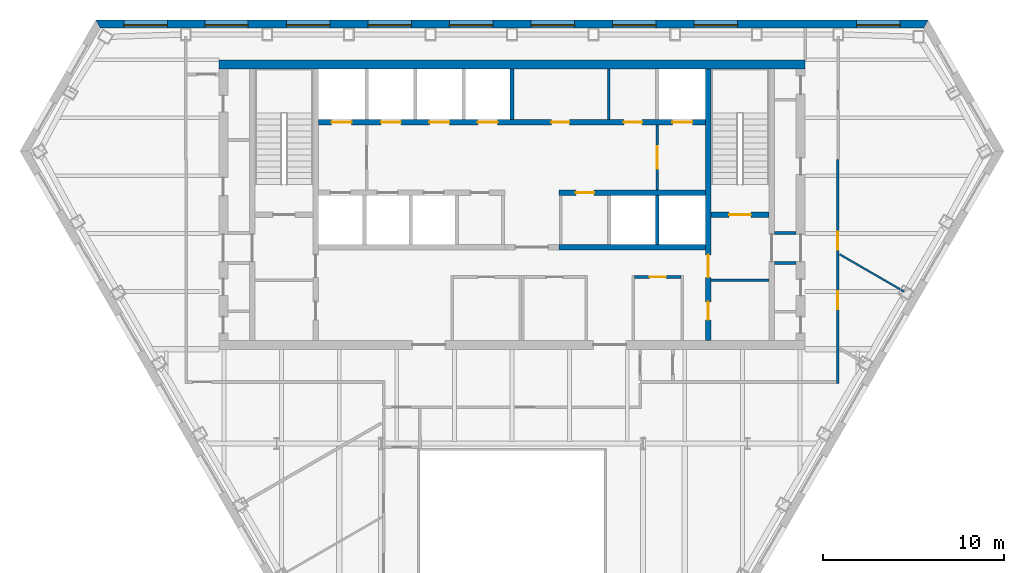
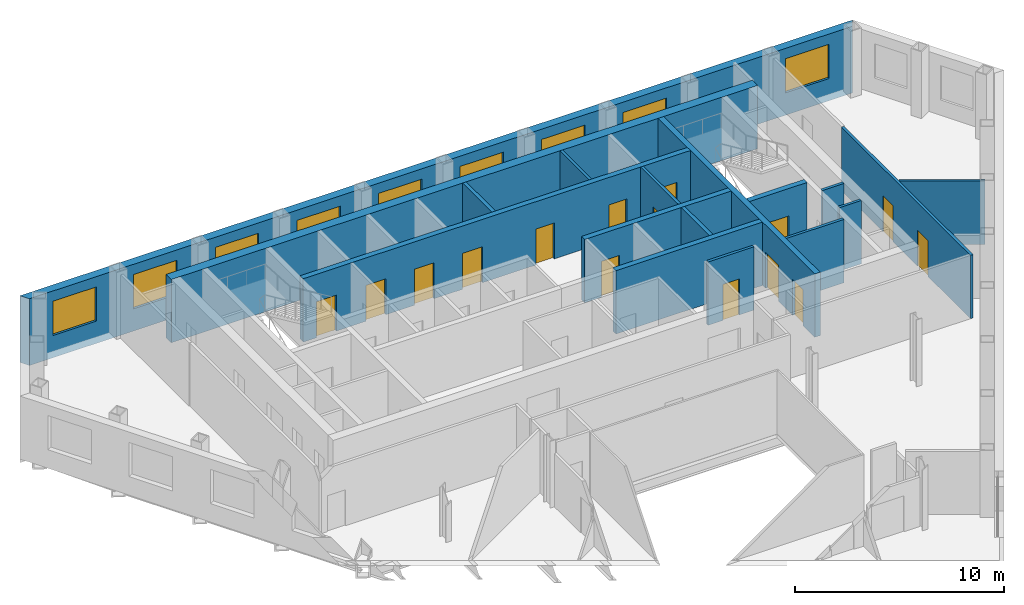
# One storey, part 7 of 11: 17 walls, 15 doors, 9 windows, 24 openings.
"""IFC4 building model written with IfcOpenShell, lengths in metres."""

from ifc_helpers import new_model, si_unit, direction, frame, frame_2d, origin, place, context, subcontext, project, spatial, polyline, rectangle, outline, extrude, material, layer, layer_set, type_object, element, fill, save


model = new_model("IFC4")

# Units and contexts
model_context = context("Model", 3, precision=1e-05, world=origin(), true_north=direction((0.0, 1.0)))
body_context = subcontext(model_context, "Body", "Model", "MODEL_VIEW")
ifc_project = project(units=[si_unit("LENGTHUNIT", "METRE"), si_unit("AREAUNIT", "SQUARE_METRE"), si_unit("VOLUMEUNIT", "CUBIC_METRE"), si_unit("PLANEANGLEUNIT", "RADIAN"), si_unit("MASSUNIT", "GRAM", prefix="KILO")], contexts=[model_context])

# Site, building, storey
site_placement = place(None, origin())
site = spatial("IfcSite", under=ifc_project, at=site_placement, CompositionType="ELEMENT")
building_placement = place(site_placement, origin())
building = spatial("IfcBuilding", under=site, at=building_placement, Name="Njiva Tower", CompositionType="ELEMENT")
storey_placement = place(building_placement, frame((0.0, 0.0, 163.2)))
storey = spatial("IfcBuildingStorey", under=building, at=storey_placement, Name="L35", CompositionType="ELEMENT", Elevation=163.2)

# Walls
ifc_material_1 = material(Name="Blockwork", Category="masonry")
ifc_layer_1 = layer(ifc_material_1, 0.15)
ifc_layer_set_1 = layer_set([ifc_layer_1], Name="Blockwork")
wall_type_1 = type_object("IfcWallType", Name="WT1 Compartment partition 150", PredefinedType="PARTITIONING", material=ifc_layer_set_1)
wall_1_placement = place(storey_placement, frame((5.35, 14.7, 0.0), z_axis=(0.0, 0.0, 1.0), x_axis=(0.0, 1.0, 0.0)))
element("IfcWall", 1, at=wall_1_placement, inside=storey, type_object=wall_type_1, Name="Partition CN6", PredefinedType="PARTITIONING", context=body_context, shape_type="SweptSolid", body=[
    extrude(rectangle(XDim=2.8, YDim=0.15, at=frame_2d((1.4, 0.0))), origin(), (0.0, 0.0, 1.0), 3.7),
])
wall_2_placement = place(storey_placement, frame((11.0, 5.825, 0.0), z_axis=(0.0, 0.0, 1.0), x_axis=(1.0, 0.0, 0.0)))
element("IfcWall", 2, at=wall_2_placement, inside=storey, type_object=wall_type_1, Name="Room wall B", PredefinedType="PARTITIONING", context=body_context, shape_type="SweptSolid", body=[
    extrude(rectangle(XDim=3.2, YDim=0.15, at=frame_2d((1.6, 0.0))), origin(), (0.0, 0.0, 1.0), 3.7),
])

# Wall, opening, door
wall_3_placement = place(storey_placement, frame((6.775, 6.0, 0.0), z_axis=(0.0, 0.0, 1.0), x_axis=(1.0, 0.0, 0.0)))
wall_3 = element("IfcWall", 3, at=wall_3_placement, inside=storey, type_object=wall_type_1, Name="Security office wall north", PredefinedType="PARTITIONING", context=body_context, shape_type="SweptSolid", body=[
    extrude(rectangle(XDim=2.55, YDim=0.15, at=frame_2d((1.275, 0.0))), origin(), (0.0, 0.0, 1.0), 3.7),
])
opening_1_placement = place(wall_3_placement, frame((0.825, 0.0, 0.0)))
opening_1 = element("IfcOpeningElement", 4, at=opening_1_placement, cuts=wall_3, Name="Opening S12-D935", PredefinedType="OPENING", context=body_context, shape_type="SweptSolid", body=[
    extrude(rectangle(XDim=0.9, YDim=2.1, at=frame_2d((0.45, 1.05))), frame((0.0, 0.085, 0.0), z_axis=(0.0, -1.0, 0.0), x_axis=(1.0, 0.0, 0.0)), (0.0, 0.0, 1.0), 0.17),
])
ifc_material_2 = material(Name="Steel fire door, painted", Category="steel")
door_type_1 = type_object("IfcDoorType", Name="D6 Fire-rated door 900x2100", OperationType="SINGLE_SWING_LEFT", PredefinedType="DOOR", material=ifc_material_2)
door_1_placement = place(opening_1_placement, origin())
door_1 = element("IfcDoor", 5, at=door_1_placement, inside=storey, type_object=door_type_1, Name="Security office door", OperationType="SINGLE_SWING_RIGHT", OverallHeight=2.1, OverallWidth=0.9, PredefinedType="DOOR", context=body_context, shape_type="SweptSolid", body=[
    extrude(rectangle(XDim=0.9, YDim=2.1, at=frame_2d((0.45, 1.05))), frame((0.0, 0.025, 0.0), z_axis=(0.0, -1.0, 0.0), x_axis=(1.0, 0.0, 0.0)), (0.0, 0.0, 1.0), 0.05),
])
fill(opening_1, door_1)

# Wall, openings, doors
ifc_material_3 = material(Name="Concrete C40/50", Category="concrete")
ifc_layer_2 = layer(ifc_material_3, 0.3)
ifc_layer_set_2 = layer_set([ifc_layer_2], Name="Concrete C40/50")
wall_type_2 = type_object("IfcWallType", Name="WT10 Stair enclosure wall 300", PredefinedType="SHEAR", material=ifc_layer_set_2)
wall_4_placement = place(storey_placement, frame((10.85, 2.5, 0.0), z_axis=(0.0, 0.0, 1.0), x_axis=(0.0, 1.0, 0.0)))
wall_4 = element("IfcWall", 6, at=wall_4_placement, inside=storey, type_object=wall_type_2, Name="Stair wall east inner", PredefinedType="SHEAR", context=body_context, shape_type="SweptSolid", body=[
    extrude(rectangle(XDim=15.0, YDim=0.3, at=frame_2d((7.5, 0.0))), origin(), (0.0, 0.0, 1.0), 3.7),
])
opening_2_placement = place(wall_4_placement, frame((3.475, 0.0, 0.0)))
opening_2 = element("IfcOpeningElement", 7, at=opening_2_placement, cuts=wall_4, Name="Opening S12-D919", PredefinedType="OPENING", context=body_context, shape_type="SweptSolid", body=[
    extrude(rectangle(XDim=1.25, YDim=2.1, at=frame_2d((0.625, 1.05))), frame((0.0, 0.16, 0.0), z_axis=(0.0, -1.0, 0.0), x_axis=(1.0, 0.0, 0.0)), (0.0, 0.0, 1.0), 0.32),
])
opening_3_placement = place(wall_4_placement, frame((1.125, 0.0, 0.0)))
opening_3 = element("IfcOpeningElement", 8, at=opening_3_placement, cuts=wall_4, Name="Opening S12-D920", PredefinedType="OPENING", context=body_context, shape_type="SweptSolid", body=[
    extrude(rectangle(XDim=1.0, YDim=2.1, at=frame_2d((0.5, 1.05))), frame((0.0, 0.16, 0.0), z_axis=(0.0, -1.0, 0.0), x_axis=(1.0, 0.0, 0.0)), (0.0, 0.0, 1.0), 0.32),
])
ifc_material_4 = material(Name="Steel door, painted", Category="steel")
door_type_2 = type_object("IfcDoorType", Name="D5 Steel door 1000x2100", OperationType="SINGLE_SWING_LEFT", PredefinedType="DOOR", material=ifc_material_4)
door_2_placement = place(opening_3_placement, origin())
door_2 = element("IfcDoor", 9, at=door_2_placement, inside=storey, type_object=door_type_2, Name="Breakout room door", OperationType="SINGLE_SWING_LEFT", OverallHeight=2.1, OverallWidth=1.0, PredefinedType="DOOR", context=body_context, shape_type="SweptSolid", body=[
    extrude(rectangle(XDim=1.0, YDim=2.1, at=frame_2d((0.5, 1.05))), frame((0.0, 0.025, 0.0), z_axis=(0.0, -1.0, 0.0), x_axis=(1.0, 0.0, 0.0)), (0.0, 0.0, 1.0), 0.05),
])
fill(opening_3, door_2)
ifc_material_5 = material(Name="Glazed steel fire door", Category="steel")
door_type_3 = type_object("IfcDoorType", Name="D8 Vestibule corridor door 1250x2100 glazed", OperationType="SINGLE_SWING_LEFT", PredefinedType="DOOR", material=ifc_material_5)
door_3_placement = place(opening_2_placement, origin())
door_3 = element("IfcDoor", 10, at=door_3_placement, inside=storey, type_object=door_type_3, Name="Stair vestibule corridor door", OperationType="SINGLE_SWING_RIGHT", OverallHeight=2.1, OverallWidth=1.25, PredefinedType="DOOR", context=body_context, shape_type="SweptSolid", body=[
    extrude(rectangle(XDim=1.25, YDim=2.1, at=frame_2d((0.625, 1.05))), frame((0.0, 0.025, 0.0), z_axis=(0.0, -1.0, 0.0), x_axis=(1.0, 0.0, 0.0)), (0.0, 0.0, 1.0), 0.05),
])
fill(opening_2, door_3)

# Wall, opening, door
wall_5_placement = place(storey_placement, frame((11.0, 9.45, 0.0), z_axis=(0.0, 0.0, 1.0), x_axis=(1.0, 0.0, 0.0)))
wall_5 = element("IfcWall", 11, at=wall_5_placement, inside=storey, type_object=wall_type_2, Name="Stair B south wall", PredefinedType="SHEAR", context=body_context, shape_type="SweptSolid", body=[
    extrude(rectangle(XDim=3.2, YDim=0.3, at=frame_2d((1.6, 0.0))), origin(), (0.0, 0.0, 1.0), 3.7),
])
opening_4_placement = place(wall_5_placement, frame((1.0, 0.0, 0.0)))
opening_4 = element("IfcOpeningElement", 12, at=opening_4_placement, cuts=wall_5, Name="Opening S12-D918", PredefinedType="OPENING", context=body_context, shape_type="SweptSolid", body=[
    extrude(rectangle(XDim=1.2, YDim=2.1, at=frame_2d((0.6, 1.05))), frame((0.0, 0.16, 0.0), z_axis=(0.0, -1.0, 0.0), x_axis=(1.0, 0.0, 0.0)), (0.0, 0.0, 1.0), 0.32),
])
door_type_4 = type_object("IfcDoorType", Name="D7 Stair vestibule door 1200x2100 glazed", OperationType="SINGLE_SWING_LEFT", PredefinedType="DOOR", material=ifc_material_5)
door_4_placement = place(opening_4_placement, origin())
door_4 = element("IfcDoor", 13, at=door_4_placement, inside=storey, type_object=door_type_4, Name="Stair B door", OperationType="SINGLE_SWING_LEFT", OverallHeight=2.1, OverallWidth=1.2, PredefinedType="DOOR", context=body_context, shape_type="SweptSolid", body=[
    extrude(rectangle(XDim=1.2, YDim=2.1, at=frame_2d((0.6, 1.05))), frame((0.0, 0.025, 0.0), z_axis=(0.0, -1.0, 0.0), x_axis=(1.0, 0.0, 0.0)), (0.0, 0.0, 1.0), 0.05),
])
fill(opening_4, door_4)

# Wall
ifc_material_6 = material(Name="Concrete C60/75", Category="concrete")
ifc_layer_3 = layer(ifc_material_6, 0.5)
ifc_layer_set_3 = layer_set([ifc_layer_3], Name="Concrete C60/75")
wall_type_3 = type_object("IfcWallType", Name="WT13 Core wall 500", PredefinedType="SHEAR", material=ifc_layer_set_3)
wall_6_placement = place(storey_placement, frame((-16.2, 17.75, 0.0), z_axis=(0.0, 0.0, 1.0), x_axis=(1.0, 0.0, 0.0)))
element("IfcWall", 14, at=wall_6_placement, inside=storey, type_object=wall_type_3, Name="Core wall north", PredefinedType="SHEAR", context=body_context, shape_type="SweptSolid", body=[
    extrude(rectangle(XDim=32.4, YDim=0.5, at=frame_2d((16.2, 0.0))), origin(), (0.0, 0.0, 1.0), 3.7),
])

# Wall, opening, door
ifc_layer_4 = layer(ifc_material_1, 0.15)
ifc_layer_set_4 = layer_set([ifc_layer_4], Name="Blockwork")
wall_type_4 = type_object("IfcWallType", Name="WT2 Lobby partition 150", PredefinedType="PARTITIONING", material=ifc_layer_set_4)
wall_7_placement = place(storey_placement, frame((8.025, 10.8, 0.0), z_axis=(0.0, 0.0, 1.0), x_axis=(0.0, 1.0, 0.0)))
wall_7 = element("IfcWall", 15, at=wall_7_placement, inside=storey, type_object=wall_type_4, Name="Firefighting lobby wall B", PredefinedType="PARTITIONING", context=body_context, shape_type="SweptSolid", body=[
    extrude(rectangle(XDim=3.6, YDim=0.15, at=frame_2d((1.8, 0.0))), origin(), (0.0, 0.0, 1.0), 3.7),
])
opening_5_placement = place(wall_7_placement, frame((1.175, 0.0, 0.0)))
opening_5 = element("IfcOpeningElement", 16, at=opening_5_placement, cuts=wall_7, Name="Opening S12-D917", PredefinedType="OPENING", context=body_context, shape_type="SweptSolid", body=[
    extrude(rectangle(XDim=1.25, YDim=2.1, at=frame_2d((0.625, 1.05))), frame((0.0, 0.085, 0.0), z_axis=(0.0, -1.0, 0.0), x_axis=(1.0, 0.0, 0.0)), (0.0, 0.0, 1.0), 0.17),
])
door_5_placement = place(opening_5_placement, origin())
door_5 = element("IfcDoor", 17, at=door_5_placement, inside=storey, type_object=door_type_3, Name="Stair vestibule corridor door", OperationType="SINGLE_SWING_LEFT", OverallHeight=2.1, OverallWidth=1.25, PredefinedType="DOOR", context=body_context, shape_type="SweptSolid", body=[
    extrude(rectangle(XDim=1.25, YDim=2.1, at=frame_2d((0.625, 1.05))), frame((0.0, 0.025, 0.0), z_axis=(0.0, -1.0, 0.0), x_axis=(1.0, 0.0, 0.0)), (0.0, 0.0, 1.0), 0.05),
])
fill(opening_5, door_5)

# Wall
ifc_material_7 = material(Name="Gypsum board on steel studs", Category="gypsum")
ifc_layer_5 = layer(ifc_material_7, 0.1)
ifc_layer_set_5 = layer_set([ifc_layer_5], Name="Gypsum board on steel studs")
wall_type_5 = type_object("IfcWallType", Name="WT20 Gypsum partition 100", PredefinedType="PARTITIONING", material=ifc_layer_set_5)
wall_8_placement = place(storey_placement, frame((18.1, 7.254, 0.0), z_axis=(0.0, 0.0, 1.0), x_axis=(0.865963207503, -0.50010771165, 0.0)))
element("IfcWall", 18, at=wall_8_placement, inside=storey, type_object=wall_type_5, Name="Partition S12-P030", PredefinedType="PARTITIONING", context=body_context, shape_type="SweptSolid", body=[
    extrude(rectangle(XDim=4.1191, YDim=0.1, at=frame_2d((2.0596, 0.0))), origin(), (0.0, 0.0, 1.0), 3.7),
])

# Wall, openings, doors
ifc_layer_6 = layer(ifc_material_7, 0.15)
ifc_layer_set_6 = layer_set([ifc_layer_6], Name="Gypsum board on steel studs")
wall_type_6 = type_object("IfcWallType", Name="WT21 Compartment wall 150", PredefinedType="PARTITIONING", material=ifc_layer_set_6)
wall_9_placement = place(storey_placement, frame((18.0, 0.125, 0.0), z_axis=(0.0, 0.0, 1.0), x_axis=(0.0, 1.0, 0.0)))
wall_9 = element("IfcWall", 19, at=wall_9_placement, inside=storey, type_object=wall_type_6, Name="Partition S12-P028", PredefinedType="PARTITIONING", context=body_context, shape_type="SweptSolid", body=[
    extrude(rectangle(XDim=12.354, YDim=0.15, at=frame_2d((6.177, 0.0))), origin(), (0.0, 0.0, 1.0), 3.7),
])
opening_6_placement = place(wall_9_placement, frame((4.083, 0.0, 0.0)))
opening_6 = element("IfcOpeningElement", 20, at=opening_6_placement, cuts=wall_9, Name="Opening S12-D014", PredefinedType="OPENING", context=body_context, shape_type="SweptSolid", body=[
    extrude(rectangle(XDim=1.0, YDim=2.1, at=frame_2d((0.5, 1.05))), frame((0.0, 0.085, 0.0), z_axis=(0.0, -1.0, 0.0), x_axis=(1.0, 0.0, 0.0)), (0.0, 0.0, 1.0), 0.17),
])
opening_7_placement = place(wall_9_placement, frame((7.387, 0.0, 0.0)))
opening_7 = element("IfcOpeningElement", 21, at=opening_7_placement, cuts=wall_9, Name="Opening S12-D015", PredefinedType="OPENING", context=body_context, shape_type="SweptSolid", body=[
    extrude(rectangle(XDim=1.0, YDim=2.1, at=frame_2d((0.5, 1.05))), frame((0.0, 0.085, 0.0), z_axis=(0.0, -1.0, 0.0), x_axis=(1.0, 0.0, 0.0)), (0.0, 0.0, 1.0), 0.17),
])
ifc_material_8 = material(Name="Steel fire door set", Category="steel")
door_type_5 = type_object("IfcDoorType", Name="D37 Fire door 1000x2100", OperationType="SINGLE_SWING_LEFT", PredefinedType="DOOR", material=ifc_material_8)
door_6_placement = place(opening_6_placement, origin())
door_6 = element("IfcDoor", 22, at=door_6_placement, inside=storey, type_object=door_type_5, Name="Door S12-D014", OperationType="SINGLE_SWING_LEFT", OverallHeight=2.1, OverallWidth=1.0, PredefinedType="DOOR", context=body_context, shape_type="SweptSolid", body=[
    extrude(rectangle(XDim=1.0, YDim=2.1, at=frame_2d((0.5, 1.05))), frame((0.0, 0.025, 0.0), z_axis=(0.0, -1.0, 0.0), x_axis=(1.0, 0.0, 0.0)), (0.0, 0.0, 1.0), 0.05),
])
fill(opening_6, door_6)
door_7_placement = place(opening_7_placement, origin())
door_7 = element("IfcDoor", 23, at=door_7_placement, inside=storey, type_object=door_type_5, Name="Door S12-D015", OperationType="SINGLE_SWING_RIGHT", OverallHeight=2.1, OverallWidth=1.0, PredefinedType="DOOR", context=body_context, shape_type="SweptSolid", body=[
    extrude(rectangle(XDim=1.0, YDim=2.1, at=frame_2d((0.5, 1.05))), frame((0.0, 0.025, 0.0), z_axis=(0.0, -1.0, 0.0), x_axis=(1.0, 0.0, 0.0)), (0.0, 0.0, 1.0), 0.05),
])
fill(opening_7, door_7)

# Walls
ifc_layer_7 = layer(ifc_material_1, 0.15)
ifc_layer_set_7 = layer_set([ifc_layer_7], Name="Blockwork")
wall_type_7 = type_object("IfcWallType", Name="WT4 Stair partition 150", PredefinedType="PARTITIONING", material=ifc_layer_set_7)
for number, where, z_axis, x_axis, name in (
    (24, (14.5, 6.775, 0.0), (0.0, 0.0, 1.0), (1.0, 0.0, 0.0), "Stair B exit passage wall south"),
    (25, (14.5, 8.425, 0.0), (0.0, 0.0, 1.0), (1.0, 0.0, 0.0), "Stair B exit passage wall north"),
):
    element("IfcWall", number, at=place(storey_placement, frame(where, z_axis=z_axis, x_axis=x_axis)), inside=storey, type_object=wall_type_7, Name=name, PredefinedType="PARTITIONING", context=body_context, shape_type="SweptSolid", body=[
        extrude(rectangle(XDim=1.2, YDim=0.15, at=frame_2d((0.6, 0.0))), origin(), (0.0, 0.0, 1.0), 3.7),
    ])
ifc_layer_8 = layer(ifc_material_3, 0.2)
ifc_layer_set_8 = layer_set([ifc_layer_8], Name="Concrete C40/50")
wall_type_8 = type_object("IfcWallType", Name="WT6 Lift shaft wall 200", PredefinedType="SHEAR", material=ifc_layer_set_8)
wall_10_placement = place(storey_placement, frame((0.0, 14.7, 0.0), z_axis=(0.0, 0.0, 1.0), x_axis=(0.0, 1.0, 0.0)))
element("IfcWall", 26, at=wall_10_placement, inside=storey, type_object=wall_type_8, Name="Shaft wall CN4", PredefinedType="SHEAR", context=body_context, shape_type="SweptSolid", body=[
    extrude(rectangle(XDim=2.8, YDim=0.2, at=frame_2d((1.4, 0.0))), origin(), (0.0, 0.0, 1.0), 3.7),
])
wall_11_placement = place(storey_placement, frame((8.0333, 7.8, 0.0), z_axis=(0.0, 0.0, 1.0), x_axis=(0.0, 1.0, 0.0)))
element("IfcWall", 27, at=wall_11_placement, inside=storey, type_object=wall_type_8, Name="Shaft wall CS7", PredefinedType="SHEAR", context=body_context, shape_type="SweptSolid", body=[
    extrude(rectangle(XDim=2.7, YDim=0.2, at=frame_2d((1.35, 0.0))), origin(), (0.0, 0.0, 1.0), 3.7),
])

# Wall, openings, doors
ifc_layer_9 = layer(ifc_material_3, 0.3)
ifc_layer_set_9 = layer_set([ifc_layer_9], Name="Concrete C40/50")
wall_type_9 = type_object("IfcWallType", Name="WT7 Lift shaft wall 300", PredefinedType="SHEAR", material=ifc_layer_set_9)
wall_12_placement = place(storey_placement, frame((-10.7, 14.55, 0.0), z_axis=(0.0, 0.0, 1.0), x_axis=(1.0, 0.0, 0.0)))
wall_12 = element("IfcWall", 28, at=wall_12_placement, inside=storey, type_object=wall_type_9, Name="Shaft wall north row lobby side", PredefinedType="SHEAR", context=body_context, shape_type="SweptSolid", body=[
    extrude(rectangle(XDim=21.4, YDim=0.3, at=frame_2d((10.7, 0.0))), origin(), (0.0, 0.0, 1.0), 3.7),
])
opening_8_placement = place(wall_12_placement, frame((0.7375, 0.0, 0.0)))
opening_8 = element("IfcOpeningElement", 29, at=opening_8_placement, cuts=wall_12, Name="Opening S12-D901", PredefinedType="OPENING", context=body_context, shape_type="SweptSolid", body=[
    extrude(rectangle(XDim=1.1, YDim=2.1, at=frame_2d((0.55, 1.05))), frame((0.0, 0.16, 0.0), z_axis=(0.0, -1.0, 0.0), x_axis=(1.0, 0.0, 0.0)), (0.0, 0.0, 1.0), 0.32),
])
opening_9_placement = place(wall_12_placement, frame((3.4625, 0.0, 0.0)))
opening_9 = element("IfcOpeningElement", 30, at=opening_9_placement, cuts=wall_12, Name="Opening S12-D902", PredefinedType="OPENING", context=body_context, shape_type="SweptSolid", body=[
    extrude(rectangle(XDim=1.1, YDim=2.1, at=frame_2d((0.55, 1.05))), frame((0.0, 0.16, 0.0), z_axis=(0.0, -1.0, 0.0), x_axis=(1.0, 0.0, 0.0)), (0.0, 0.0, 1.0), 0.32),
])
opening_10_placement = place(wall_12_placement, frame((6.1375, 0.0, 0.0)))
opening_10 = element("IfcOpeningElement", 31, at=opening_10_placement, cuts=wall_12, Name="Opening S12-D903", PredefinedType="OPENING", context=body_context, shape_type="SweptSolid", body=[
    extrude(rectangle(XDim=1.1, YDim=2.1, at=frame_2d((0.55, 1.05))), frame((0.0, 0.16, 0.0), z_axis=(0.0, -1.0, 0.0), x_axis=(1.0, 0.0, 0.0)), (0.0, 0.0, 1.0), 0.32),
])
opening_11_placement = place(wall_12_placement, frame((8.8125, 0.0, 0.0)))
opening_11 = element("IfcOpeningElement", 32, at=opening_11_placement, cuts=wall_12, Name="Opening S12-D904", PredefinedType="OPENING", context=body_context, shape_type="SweptSolid", body=[
    extrude(rectangle(XDim=1.1, YDim=2.1, at=frame_2d((0.55, 1.05))), frame((0.0, 0.16, 0.0), z_axis=(0.0, -1.0, 0.0), x_axis=(1.0, 0.0, 0.0)), (0.0, 0.0, 1.0), 0.32),
])
opening_12_placement = place(wall_12_placement, frame((19.5625, 0.0, 0.0)))
opening_12 = element("IfcOpeningElement", 33, at=opening_12_placement, cuts=wall_12, Name="Opening S12-D905", PredefinedType="OPENING", context=body_context, shape_type="SweptSolid", body=[
    extrude(rectangle(XDim=1.1, YDim=2.1, at=frame_2d((0.55, 1.05))), frame((0.0, 0.16, 0.0), z_axis=(0.0, -1.0, 0.0), x_axis=(1.0, 0.0, 0.0)), (0.0, 0.0, 1.0), 0.32),
])
opening_13_placement = place(wall_12_placement, frame((12.875, 0.0, 0.0)))
opening_13 = element("IfcOpeningElement", 34, at=opening_13_placement, cuts=wall_12, Name="Opening S12-D909", PredefinedType="OPENING", context=body_context, shape_type="SweptSolid", body=[
    extrude(rectangle(XDim=1.0, YDim=2.1, at=frame_2d((0.5, 1.05))), frame((0.0, 0.16, 0.0), z_axis=(0.0, -1.0, 0.0), x_axis=(1.0, 0.0, 0.0)), (0.0, 0.0, 1.0), 0.32),
])
opening_14_placement = place(wall_12_placement, frame((16.8875, 0.0, 0.0)))
opening_14 = element("IfcOpeningElement", 35, at=opening_14_placement, cuts=wall_12, Name="Opening S12-D910", PredefinedType="OPENING", context=body_context, shape_type="SweptSolid", body=[
    extrude(rectangle(XDim=1.0, YDim=2.1, at=frame_2d((0.5, 1.05))), frame((0.0, 0.16, 0.0), z_axis=(0.0, -1.0, 0.0), x_axis=(1.0, 0.0, 0.0)), (0.0, 0.0, 1.0), 0.32),
])
door_8_placement = place(opening_13_placement, origin())
door_8 = element("IfcDoor", 36, at=door_8_placement, inside=storey, type_object=door_type_2, Name="Breakout room door", OperationType="SINGLE_SWING_LEFT", OverallHeight=2.1, OverallWidth=1.0, PredefinedType="DOOR", context=body_context, shape_type="SweptSolid", body=[
    extrude(rectangle(XDim=1.0, YDim=2.1, at=frame_2d((0.5, 1.05))), frame((0.0, 0.025, 0.0), z_axis=(0.0, -1.0, 0.0), x_axis=(1.0, 0.0, 0.0)), (0.0, 0.0, 1.0), 0.05),
])
fill(opening_13, door_8)
door_9_placement = place(opening_14_placement, origin())
door_9 = element("IfcDoor", 37, at=door_9_placement, inside=storey, type_object=door_type_2, Name="Quiet room door", OperationType="SINGLE_SWING_LEFT", OverallHeight=2.1, OverallWidth=1.0, PredefinedType="DOOR", context=body_context, shape_type="SweptSolid", body=[
    extrude(rectangle(XDim=1.0, YDim=2.1, at=frame_2d((0.5, 1.05))), frame((0.0, 0.025, 0.0), z_axis=(0.0, -1.0, 0.0), x_axis=(1.0, 0.0, 0.0)), (0.0, 0.0, 1.0), 0.05),
])
fill(opening_14, door_9)
ifc_material_9 = material(Name="Stainless steel sliding door", Category="steel")
door_type_6 = type_object("IfcDoorType", Name="LD Lift landing door 1100x2100", OperationType="SLIDING_TO_LEFT", PredefinedType="DOOR", material=ifc_material_9)
door_10_placement = place(opening_8_placement, origin())
door_10 = element("IfcDoor", 38, at=door_10_placement, inside=storey, type_object=door_type_6, Name="Lift landing door FF1", OperationType="SLIDING_TO_LEFT", OverallHeight=2.1, OverallWidth=1.1, PredefinedType="DOOR", context=body_context, shape_type="SweptSolid", body=[
    extrude(rectangle(XDim=1.1, YDim=2.1, at=frame_2d((0.55, 1.05))), frame((0.0, 0.025, 0.0), z_axis=(0.0, -1.0, 0.0), x_axis=(1.0, 0.0, 0.0)), (0.0, 0.0, 1.0), 0.05),
])
fill(opening_8, door_10)
door_11_placement = place(opening_9_placement, origin())
door_11 = element("IfcDoor", 39, at=door_11_placement, inside=storey, type_object=door_type_6, Name="Lift landing door MB4", OperationType="SLIDING_TO_LEFT", OverallHeight=2.1, OverallWidth=1.1, PredefinedType="DOOR", context=body_context, shape_type="SweptSolid", body=[
    extrude(rectangle(XDim=1.1, YDim=2.1, at=frame_2d((0.55, 1.05))), frame((0.0, 0.025, 0.0), z_axis=(0.0, -1.0, 0.0), x_axis=(1.0, 0.0, 0.0)), (0.0, 0.0, 1.0), 0.05),
])
fill(opening_9, door_11)
door_12_placement = place(opening_10_placement, origin())
door_12 = element("IfcDoor", 40, at=door_12_placement, inside=storey, type_object=door_type_6, Name="Lift landing door MB5", OperationType="SLIDING_TO_LEFT", OverallHeight=2.1, OverallWidth=1.1, PredefinedType="DOOR", context=body_context, shape_type="SweptSolid", body=[
    extrude(rectangle(XDim=1.1, YDim=2.1, at=frame_2d((0.55, 1.05))), frame((0.0, 0.025, 0.0), z_axis=(0.0, -1.0, 0.0), x_axis=(1.0, 0.0, 0.0)), (0.0, 0.0, 1.0), 0.05),
])
fill(opening_10, door_12)
door_13_placement = place(opening_11_placement, origin())
door_13 = element("IfcDoor", 41, at=door_13_placement, inside=storey, type_object=door_type_6, Name="Lift landing door MB6", OperationType="SLIDING_TO_LEFT", OverallHeight=2.1, OverallWidth=1.1, PredefinedType="DOOR", context=body_context, shape_type="SweptSolid", body=[
    extrude(rectangle(XDim=1.1, YDim=2.1, at=frame_2d((0.55, 1.05))), frame((0.0, 0.025, 0.0), z_axis=(0.0, -1.0, 0.0), x_axis=(1.0, 0.0, 0.0)), (0.0, 0.0, 1.0), 0.05),
])
fill(opening_11, door_13)
door_14_placement = place(opening_12_placement, origin())
door_14 = element("IfcDoor", 42, at=door_14_placement, inside=storey, type_object=door_type_6, Name="Lift landing door FF2", OperationType="SLIDING_TO_LEFT", OverallHeight=2.1, OverallWidth=1.1, PredefinedType="DOOR", context=body_context, shape_type="SweptSolid", body=[
    extrude(rectangle(XDim=1.1, YDim=2.1, at=frame_2d((0.55, 1.05))), frame((0.0, 0.025, 0.0), z_axis=(0.0, -1.0, 0.0), x_axis=(1.0, 0.0, 0.0)), (0.0, 0.0, 1.0), 0.05),
])
fill(opening_12, door_14)

# Wall, opening, door
wall_13_placement = place(storey_placement, frame((2.6, 10.65, 0.0), z_axis=(0.0, 0.0, 1.0), x_axis=(1.0, 0.0, 0.0)))
wall_13 = element("IfcWall", 43, at=wall_13_placement, inside=storey, type_object=wall_type_9, Name="Shaft wall south row lobby side E", PredefinedType="SHEAR", context=body_context, shape_type="SweptSolid", body=[
    extrude(rectangle(XDim=8.1, YDim=0.3, at=frame_2d((4.05, 0.0))), origin(), (0.0, 0.0, 1.0), 3.7),
])
opening_15_placement = place(wall_13_placement, frame((0.9334, 0.0, 0.0)))
opening_15 = element("IfcOpeningElement", 44, at=opening_15_placement, cuts=wall_13, Name="Opening S12-D912", PredefinedType="OPENING", context=body_context, shape_type="SweptSolid", body=[
    extrude(rectangle(XDim=1.0, YDim=2.1, at=frame_2d((0.5, 1.05))), frame((0.0, 0.16, 0.0), z_axis=(0.0, -1.0, 0.0), x_axis=(1.0, 0.0, 0.0)), (0.0, 0.0, 1.0), 0.32),
])
door_15_placement = place(opening_15_placement, origin())
door_15 = element("IfcDoor", 45, at=door_15_placement, inside=storey, type_object=door_type_2, Name="Business centre door", OperationType="SINGLE_SWING_LEFT", OverallHeight=2.1, OverallWidth=1.0, PredefinedType="DOOR", context=body_context, shape_type="SweptSolid", body=[
    extrude(rectangle(XDim=1.0, YDim=2.1, at=frame_2d((0.5, 1.05))), frame((0.0, 0.025, 0.0), z_axis=(0.0, -1.0, 0.0), x_axis=(1.0, 0.0, 0.0)), (0.0, 0.0, 1.0), 0.05),
])
fill(opening_15, door_15)

# Wall
wall_14_placement = place(storey_placement, frame((2.6, 7.65, 0.0), z_axis=(0.0, 0.0, 1.0), x_axis=(1.0, 0.0, 0.0)))
element("IfcWall", 46, at=wall_14_placement, inside=storey, type_object=wall_type_9, Name="Shaft wall south row back E", PredefinedType="SHEAR", context=body_context, shape_type="SweptSolid", body=[
    extrude(rectangle(XDim=8.1, YDim=0.3, at=frame_2d((4.05, 0.0))), origin(), (0.0, 0.0, 1.0), 3.7),
])

# Wall, openings, windows
ifc_material_10 = material(Name="Brick masonry", Category="masonry")
ifc_layer_10 = layer(ifc_material_10, 0.45)
ifc_layer_set_10 = layer_set([ifc_layer_10], Name="Brick masonry")
wall_type_10 = type_object("IfcWallType", Name="WT90 Brick pier and spandrel wall 450", PredefinedType="SOLIDWALL", material=ifc_layer_set_10)
wall_15_placement = place(storey_placement, frame((22.8701, 19.975, -0.4), z_axis=(0.0, 0.0, 1.0), x_axis=(-1.0, 0.0, 0.0)))
wall_15 = element("IfcWall", 47, at=wall_15_placement, inside=storey, type_object=wall_type_10, Name="Facade wall N", PredefinedType="SOLIDWALL", context=body_context, shape_type="SweptSolid", body=[
    extrude(outline(polyline([(-0.1299, -0.225), (45.8701, -0.225), (45.6103, 0.225), (0.1299, 0.225), (-0.1299, -0.225)])), origin(), (0.0, 0.0, 1.0), 3.9),
])
opening_16_placement = place(wall_15_placement, frame((1.4242, 0.0, 1.3)))
opening_16 = element("IfcOpeningElement", 48, at=opening_16_placement, cuts=wall_15, Name="Opening S12-W01", PredefinedType="OPENING", context=body_context, shape_type="SweptSolid", body=[
    extrude(rectangle(XDim=2.4, YDim=2.0, at=frame_2d((1.2, 1.0))), frame((0.0, 0.235, 0.0), z_axis=(0.0, -1.0, 0.0), x_axis=(1.0, 0.0, 0.0)), (0.0, 0.0, 1.0), 0.47),
])
opening_17_placement = place(wall_15_placement, frame((10.401, 0.0, 1.3)))
opening_17 = element("IfcOpeningElement", 49, at=opening_17_placement, cuts=wall_15, Name="Opening S12-W02", PredefinedType="OPENING", context=body_context, shape_type="SweptSolid", body=[
    extrude(rectangle(XDim=2.4, YDim=2.0, at=frame_2d((1.2, 1.0))), frame((0.0, 0.235, 0.0), z_axis=(0.0, -1.0, 0.0), x_axis=(1.0, 0.0, 0.0)), (0.0, 0.0, 1.0), 0.47),
])
opening_18_placement = place(wall_15_placement, frame((14.9087, 0.0, 1.3)))
opening_18 = element("IfcOpeningElement", 50, at=opening_18_placement, cuts=wall_15, Name="Opening S12-W03", PredefinedType="OPENING", context=body_context, shape_type="SweptSolid", body=[
    extrude(rectangle(XDim=2.4, YDim=2.0, at=frame_2d((1.2, 1.0))), frame((0.0, 0.235, 0.0), z_axis=(0.0, -1.0, 0.0), x_axis=(1.0, 0.0, 0.0)), (0.0, 0.0, 1.0), 0.47),
])
opening_19_placement = place(wall_15_placement, frame((19.4163, 0.0, 1.3)))
opening_19 = element("IfcOpeningElement", 51, at=opening_19_placement, cuts=wall_15, Name="Opening S12-W04", PredefinedType="OPENING", context=body_context, shape_type="SweptSolid", body=[
    extrude(rectangle(XDim=2.4, YDim=2.0, at=frame_2d((1.2, 1.0))), frame((0.0, 0.235, 0.0), z_axis=(0.0, -1.0, 0.0), x_axis=(1.0, 0.0, 0.0)), (0.0, 0.0, 1.0), 0.47),
])
opening_20_placement = place(wall_15_placement, frame((23.9239, 0.0, 1.3)))
opening_20 = element("IfcOpeningElement", 52, at=opening_20_placement, cuts=wall_15, Name="Opening S12-W05", PredefinedType="OPENING", context=body_context, shape_type="SweptSolid", body=[
    extrude(rectangle(XDim=2.4, YDim=2.0, at=frame_2d((1.2, 1.0))), frame((0.0, 0.235, 0.0), z_axis=(0.0, -1.0, 0.0), x_axis=(1.0, 0.0, 0.0)), (0.0, 0.0, 1.0), 0.47),
])
opening_21_placement = place(wall_15_placement, frame((28.4315, 0.0, 1.3)))
opening_21 = element("IfcOpeningElement", 53, at=opening_21_placement, cuts=wall_15, Name="Opening S12-W06", PredefinedType="OPENING", context=body_context, shape_type="SweptSolid", body=[
    extrude(rectangle(XDim=2.4, YDim=2.0, at=frame_2d((1.2, 1.0))), frame((0.0, 0.235, 0.0), z_axis=(0.0, -1.0, 0.0), x_axis=(1.0, 0.0, 0.0)), (0.0, 0.0, 1.0), 0.47),
])
opening_22_placement = place(wall_15_placement, frame((32.9391, 0.0, 1.3)))
opening_22 = element("IfcOpeningElement", 54, at=opening_22_placement, cuts=wall_15, Name="Opening S12-W07", PredefinedType="OPENING", context=body_context, shape_type="SweptSolid", body=[
    extrude(rectangle(XDim=2.4, YDim=2.0, at=frame_2d((1.2, 1.0))), frame((0.0, 0.235, 0.0), z_axis=(0.0, -1.0, 0.0), x_axis=(1.0, 0.0, 0.0)), (0.0, 0.0, 1.0), 0.47),
])
opening_23_placement = place(wall_15_placement, frame((37.4468, 0.0, 1.3)))
opening_23 = element("IfcOpeningElement", 55, at=opening_23_placement, cuts=wall_15, Name="Opening S12-W08", PredefinedType="OPENING", context=body_context, shape_type="SweptSolid", body=[
    extrude(rectangle(XDim=2.4, YDim=2.0, at=frame_2d((1.2, 1.0))), frame((0.0, 0.235, 0.0), z_axis=(0.0, -1.0, 0.0), x_axis=(1.0, 0.0, 0.0)), (0.0, 0.0, 1.0), 0.47),
])
opening_24_placement = place(wall_15_placement, frame((41.916, 0.0, 1.3)))
opening_24 = element("IfcOpeningElement", 56, at=opening_24_placement, cuts=wall_15, Name="Opening S12-W09", PredefinedType="OPENING", context=body_context, shape_type="SweptSolid", body=[
    extrude(rectangle(XDim=2.4, YDim=2.0, at=frame_2d((1.2, 1.0))), frame((0.0, 0.235, 0.0), z_axis=(0.0, -1.0, 0.0), x_axis=(1.0, 0.0, 0.0)), (0.0, 0.0, 1.0), 0.47),
])
ifc_material_11 = material(Name="Clear glazing in aluminium frame", Category="aluminium")
window_type = type_object("IfcWindowType", Name="W90 Deep-set window 2400x2000", PartitioningType="SINGLE_PANEL", PredefinedType="WINDOW", material=ifc_material_11)
window_1_placement = place(opening_16_placement, origin())
window_1 = element("IfcWindow", 57, at=window_1_placement, inside=storey, type_object=window_type, Name="Window", OverallHeight=2.0, OverallWidth=2.4, PartitioningType="SINGLE_PANEL", PredefinedType="WINDOW", context=body_context, shape_type="SweptSolid", body=[
    extrude(rectangle(XDim=2.4, YDim=2.0, at=frame_2d((1.2, 1.0))), frame((0.0, 0.105, 0.0), z_axis=(0.0, -1.0, 0.0), x_axis=(1.0, 0.0, 0.0)), (0.0, 0.0, 1.0), 0.06),
])
fill(opening_16, window_1)
window_2_placement = place(opening_17_placement, origin())
window_2 = element("IfcWindow", 58, at=window_2_placement, inside=storey, type_object=window_type, Name="Window", OverallHeight=2.0, OverallWidth=2.4, PartitioningType="SINGLE_PANEL", PredefinedType="WINDOW", context=body_context, shape_type="SweptSolid", body=[
    extrude(rectangle(XDim=2.4, YDim=2.0, at=frame_2d((1.2, 1.0))), frame((0.0, 0.105, 0.0), z_axis=(0.0, -1.0, 0.0), x_axis=(1.0, 0.0, 0.0)), (0.0, 0.0, 1.0), 0.06),
])
fill(opening_17, window_2)
window_3_placement = place(opening_18_placement, origin())
window_3 = element("IfcWindow", 59, at=window_3_placement, inside=storey, type_object=window_type, Name="Window", OverallHeight=2.0, OverallWidth=2.4, PartitioningType="SINGLE_PANEL", PredefinedType="WINDOW", context=body_context, shape_type="SweptSolid", body=[
    extrude(rectangle(XDim=2.4, YDim=2.0, at=frame_2d((1.2, 1.0))), frame((0.0, 0.105, 0.0), z_axis=(0.0, -1.0, 0.0), x_axis=(1.0, 0.0, 0.0)), (0.0, 0.0, 1.0), 0.06),
])
fill(opening_18, window_3)
window_4_placement = place(opening_19_placement, origin())
window_4 = element("IfcWindow", 60, at=window_4_placement, inside=storey, type_object=window_type, Name="Window", OverallHeight=2.0, OverallWidth=2.4, PartitioningType="SINGLE_PANEL", PredefinedType="WINDOW", context=body_context, shape_type="SweptSolid", body=[
    extrude(rectangle(XDim=2.4, YDim=2.0, at=frame_2d((1.2, 1.0))), frame((0.0, 0.105, 0.0), z_axis=(0.0, -1.0, 0.0), x_axis=(1.0, 0.0, 0.0)), (0.0, 0.0, 1.0), 0.06),
])
fill(opening_19, window_4)
window_5_placement = place(opening_20_placement, origin())
window_5 = element("IfcWindow", 61, at=window_5_placement, inside=storey, type_object=window_type, Name="Window", OverallHeight=2.0, OverallWidth=2.4, PartitioningType="SINGLE_PANEL", PredefinedType="WINDOW", context=body_context, shape_type="SweptSolid", body=[
    extrude(rectangle(XDim=2.4, YDim=2.0, at=frame_2d((1.2, 1.0))), frame((0.0, 0.105, 0.0), z_axis=(0.0, -1.0, 0.0), x_axis=(1.0, 0.0, 0.0)), (0.0, 0.0, 1.0), 0.06),
])
fill(opening_20, window_5)
window_6_placement = place(opening_21_placement, origin())
window_6 = element("IfcWindow", 62, at=window_6_placement, inside=storey, type_object=window_type, Name="Window", OverallHeight=2.0, OverallWidth=2.4, PartitioningType="SINGLE_PANEL", PredefinedType="WINDOW", context=body_context, shape_type="SweptSolid", body=[
    extrude(rectangle(XDim=2.4, YDim=2.0, at=frame_2d((1.2, 1.0))), frame((0.0, 0.105, 0.0), z_axis=(0.0, -1.0, 0.0), x_axis=(1.0, 0.0, 0.0)), (0.0, 0.0, 1.0), 0.06),
])
fill(opening_21, window_6)
window_7_placement = place(opening_22_placement, origin())
window_7 = element("IfcWindow", 63, at=window_7_placement, inside=storey, type_object=window_type, Name="Window", OverallHeight=2.0, OverallWidth=2.4, PartitioningType="SINGLE_PANEL", PredefinedType="WINDOW", context=body_context, shape_type="SweptSolid", body=[
    extrude(rectangle(XDim=2.4, YDim=2.0, at=frame_2d((1.2, 1.0))), frame((0.0, 0.105, 0.0), z_axis=(0.0, -1.0, 0.0), x_axis=(1.0, 0.0, 0.0)), (0.0, 0.0, 1.0), 0.06),
])
fill(opening_22, window_7)
window_8_placement = place(opening_23_placement, origin())
window_8 = element("IfcWindow", 64, at=window_8_placement, inside=storey, type_object=window_type, Name="Window", OverallHeight=2.0, OverallWidth=2.4, PartitioningType="SINGLE_PANEL", PredefinedType="WINDOW", context=body_context, shape_type="SweptSolid", body=[
    extrude(rectangle(XDim=2.4, YDim=2.0, at=frame_2d((1.2, 1.0))), frame((0.0, 0.105, 0.0), z_axis=(0.0, -1.0, 0.0), x_axis=(1.0, 0.0, 0.0)), (0.0, 0.0, 1.0), 0.06),
])
fill(opening_23, window_8)
window_9_placement = place(opening_24_placement, origin())
window_9 = element("IfcWindow", 65, at=window_9_placement, inside=storey, type_object=window_type, Name="Window", OverallHeight=2.0, OverallWidth=2.4, PartitioningType="SINGLE_PANEL", PredefinedType="WINDOW", context=body_context, shape_type="SweptSolid", body=[
    extrude(rectangle(XDim=2.4, YDim=2.0, at=frame_2d((1.2, 1.0))), frame((0.0, 0.105, 0.0), z_axis=(0.0, -1.0, 0.0), x_axis=(1.0, 0.0, 0.0)), (0.0, 0.0, 1.0), 0.06),
])
fill(opening_24, window_9)

save(model, "model.ifc")
